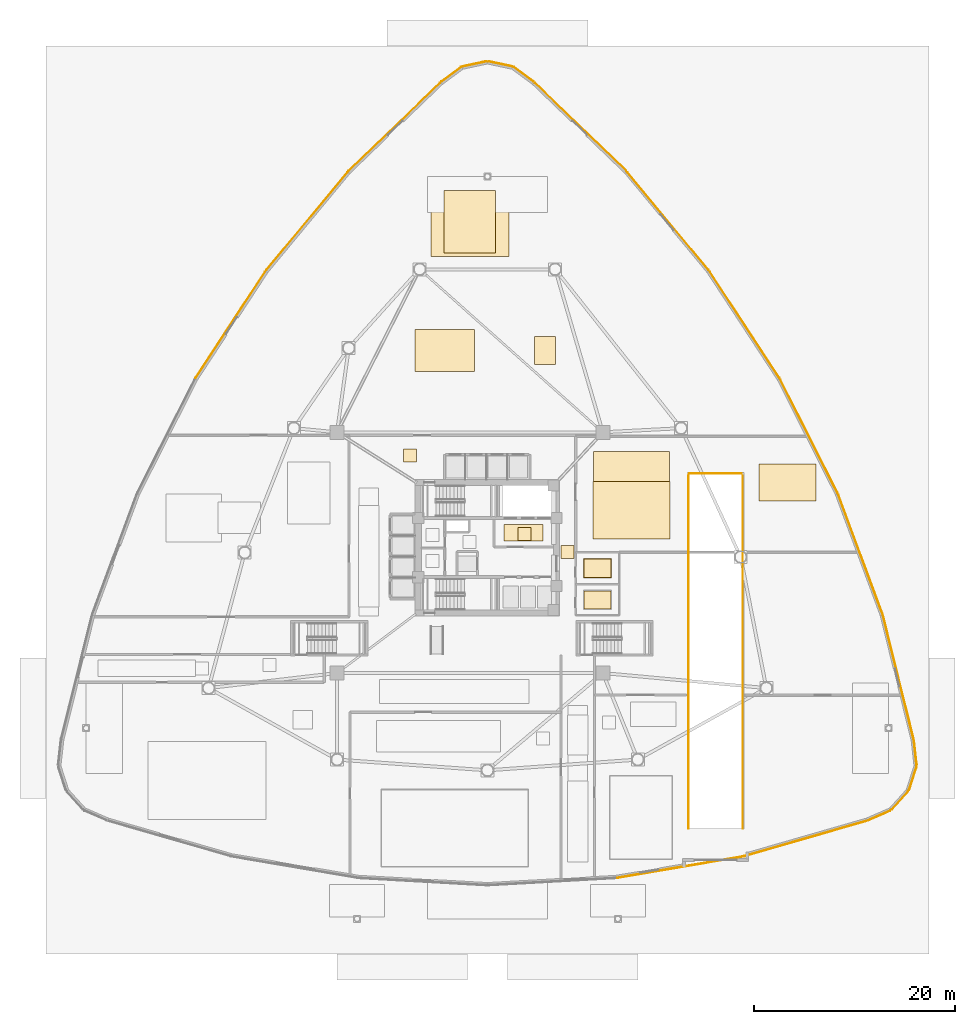
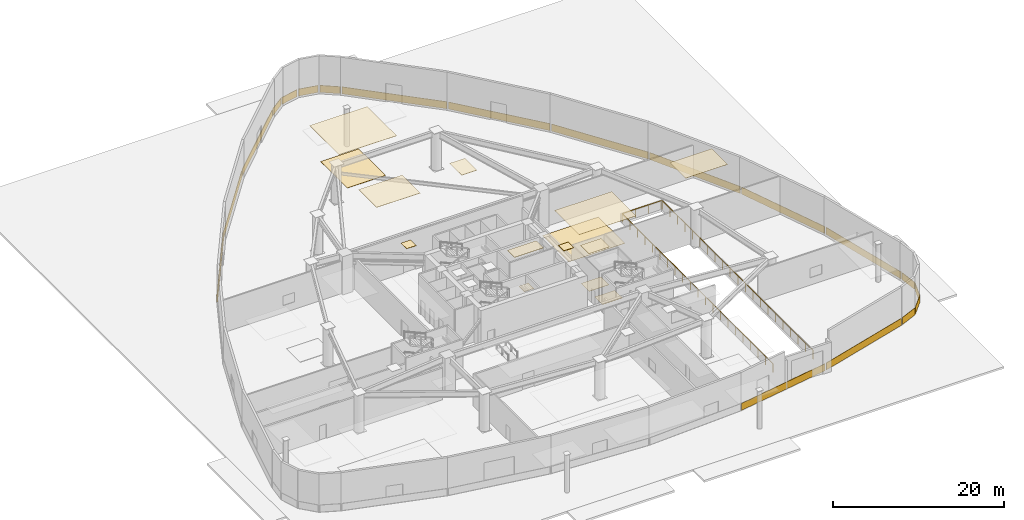
# One storey, part 12 of 13: 33 coverings, 3 railings.
"""IFC4 building model written with IfcOpenShell, lengths in metres."""

from ifc_helpers import new_model, si_unit, direction, frame, origin, origin_2d, place, context, subcontext, project, spatial, polyline, rectangle, outline, extrude, material, layer, layer_set, type_object, element, save


model = new_model("IFC4")

# Units and contexts
model_context = context("Model", 3, precision=1e-05, world=origin(), true_north=direction((0.0, 1.0)))
body_context = subcontext(model_context, "Body", "Model", "MODEL_VIEW")
ifc_project = project(units=[si_unit("LENGTHUNIT", "METRE"), si_unit("AREAUNIT", "SQUARE_METRE"), si_unit("VOLUMEUNIT", "CUBIC_METRE"), si_unit("PLANEANGLEUNIT", "RADIAN"), si_unit("MASSUNIT", "GRAM", prefix="KILO")], contexts=[model_context])

# Site, building, storey
site_placement = place(None, origin())
site = spatial("IfcSite", under=ifc_project, at=site_placement, CompositionType="ELEMENT")
building_placement = place(site_placement, origin())
building = spatial("IfcBuilding", under=site, at=building_placement, Name="Tavelor Broadcast Tower", CompositionType="ELEMENT")
storey_placement = place(building_placement, origin())
storey = spatial("IfcBuildingStorey", under=building, at=storey_placement, Name="L00", CompositionType="ELEMENT", Elevation=0.0)

# Coverings
ifc_material_1 = material(Name="Copper-Bronze Anodized Aluminium", Category="aluminium")
ifc_layer_1 = layer(ifc_material_1, 0.044921875)
ifc_layer_set_1 = layer_set([ifc_layer_1], Name="Copper-Bronze Anodized Aluminium")
covering_type_1 = type_object("IfcCoveringType", Name="Anodised Bronze Linear Slatted Concourse Ceiling 45 mm", PredefinedType="CEILING", material=ifc_layer_set_1)
covering_1_placement = place(storey_placement, frame((0.0, 0.0, 5.405029296875)))
element("IfcCovering", 1, at=covering_1_placement, inside=storey, type_object=covering_type_1, Name="L00 Suspended Acoustic Ceiling 0001", PredefinedType="CEILING", context=body_context, shape_type="SweptSolid", body=[
    extrude(outline(polyline([(51.659912109375, 45.654296875), (55.55712890625, 45.654296875), (55.55712890625, 47.331787109375), (51.659912109375, 47.331787109375), (51.659912109375, 45.654296875)])), origin(), (0.0, 0.0, 1.0), 0.044921875),
])
covering_2_placement = place(storey_placement, frame((0.0, 0.0, 5.405029296875)))
element("IfcCovering", 2, at=covering_2_placement, inside=storey, type_object=covering_type_1, Name="L00 Suspended Acoustic Ceiling 0009", PredefinedType="CEILING", context=body_context, shape_type="SweptSolid", body=[
    extrude(outline(polyline([(57.35009765625, 43.925048828125), (58.64990234375, 43.925048828125), (58.64990234375, 45.22509765625), (57.35009765625, 45.22509765625), (57.35009765625, 43.925048828125)])), origin(), (0.0, 0.0, 1.0), 0.044921875),
])
covering_3_placement = place(storey_placement, frame((0.0, 0.0, 5.405029296875)))
element("IfcCovering", 3, at=covering_3_placement, inside=storey, type_object=covering_type_1, Name="L00 Suspended Acoustic Ceiling 0011", PredefinedType="CEILING", context=body_context, shape_type="SweptSolid", body=[
    extrude(outline(polyline([(41.627197265625, 53.513671875), (42.92724609375, 53.513671875), (42.92724609375, 54.813720703125), (41.627197265625, 54.813720703125), (41.627197265625, 53.513671875)])), origin(), (0.0, 0.0, 1.0), 0.044921875),
])
covering_4_placement = place(storey_placement, frame((0.0, 0.0, 5.405029296875)))
element("IfcCovering", 4, at=covering_4_placement, inside=storey, type_object=covering_type_1, Name="L00 Suspended Acoustic Ceiling 0021", PredefinedType="CEILING", context=body_context, shape_type="SweptSolid", body=[
    extrude(outline(polyline([(44.362548828125, 74.04736328125), (52.137451171875, 74.04736328125), (52.137451171875, 80.9208984375), (44.362548828125, 80.9208984375), (44.362548828125, 74.04736328125)])), origin(), (0.0, 0.0, 1.0), 0.044921875),
])
covering_5_placement = place(storey_placement, frame((0.0, 0.0, 5.405029296875)))
element("IfcCovering", 5, at=covering_5_placement, inside=storey, type_object=covering_type_1, Name="L00 Suspended Acoustic Ceiling 0022", PredefinedType="CEILING", context=body_context, shape_type="SweptSolid", body=[
    extrude(outline(polyline([(54.691650390625, 63.265380859375), (56.762939453125, 63.265380859375), (56.762939453125, 66.070068359375), (54.691650390625, 66.070068359375), (54.691650390625, 63.265380859375)])), origin(), (0.0, 0.0, 1.0), 0.044921875),
])
covering_6_placement = place(storey_placement, frame((0.0, 0.0, 5.405029296875)))
element("IfcCovering", 6, at=covering_6_placement, inside=storey, type_object=covering_type_1, Name="L00 Suspended Acoustic Ceiling 0023", PredefinedType="CEILING", context=body_context, shape_type="SweptSolid", body=[
    extrude(outline(polyline([(42.781005859375, 62.544677734375), (48.70166015625, 62.544677734375), (48.70166015625, 66.76220703125), (42.781005859375, 66.76220703125), (42.781005859375, 62.544677734375)])), origin(), (0.0, 0.0, 1.0), 0.044921875),
])
ifc_material_2 = material(Name="Acoustic Nylon Carpet Tile")
ifc_layer_2 = layer(ifc_material_2, 0.02001953125)
ifc_layer_set_2 = layer_set([ifc_layer_2], Name="Acoustic Nylon Carpet Tile")
covering_type_2 = type_object("IfcCoveringType", Name="Heavy-Duty Acoustic Broadcast Carpet Tile 20 mm", PredefinedType="FLOORING", material=ifc_layer_set_2)
covering_7_placement = place(storey_placement, origin())
element("IfcCovering", 7, at=covering_7_placement, inside=storey, type_object=covering_type_2, Name="L00 Broadcast Floor Finish 0012", PredefinedType="FLOORING", context=body_context, shape_type="SweptSolid", body=[
    extrude(outline(polyline([(60.57568359375, 48.4033203125), (68.154296875, 48.4033203125), (68.154296875, 54.59423828125), (60.57568359375, 54.59423828125), (60.57568359375, 48.4033203125)])), origin(), (0.0, 0.0, 1.0), 0.02001953125),
])
ifc_material_3 = material(Name="Honed Natural Limestone Tile", Category="masonry")
ifc_layer_3 = layer(ifc_material_3, 0.030029296875)
ifc_layer_set_3 = layer_set([ifc_layer_3], Name="Honed Natural Limestone Tile")
covering_type_3 = type_object("IfcCoveringType", Name="Honed Jerusalem Limestone Concourse Flooring 30 mm", PredefinedType="FLOORING", material=ifc_layer_set_3)
covering_8_placement = place(storey_placement, origin())
element("IfcCovering", 8, at=covering_8_placement, inside=storey, type_object=covering_type_3, Name="L00 Broadcast Floor Finish 0001", PredefinedType="FLOORING", context=body_context, shape_type="SweptSolid", body=[
    extrude(outline(polyline([(53.030029296875, 45.728515625), (54.330078125, 45.728515625), (54.330078125, 47.028564453125), (53.030029296875, 47.028564453125), (53.030029296875, 45.728515625)])), origin(), (0.0, 0.0, 1.0), 0.030029296875),
])
covering_9_placement = place(storey_placement, origin())
element("IfcCovering", 9, at=covering_9_placement, inside=storey, type_object=covering_type_3, Name="L00 Broadcast Floor Finish 0008", PredefinedType="FLOORING", context=body_context, shape_type="SweptSolid", body=[
    extrude(outline(polyline([(45.67431640625, 74.39404296875), (50.82568359375, 74.39404296875), (50.82568359375, 80.62548828125), (45.67431640625, 80.62548828125), (45.67431640625, 74.39404296875)])), origin(), (0.0, 0.0, 1.0), 0.030029296875),
])
ifc_material_4 = material(Name="Architectural Anodized Aluminium", Category="aluminium")
ifc_layer_4 = layer(ifc_material_4, 0.030029296875)
ifc_layer_set_4 = layer_set([ifc_layer_4], Name="Architectural Anodized Aluminium")
covering_type_4 = type_object("IfcCoveringType", Name="Moisture-Resistant Washroom Ceiling 30 mm", PredefinedType="CEILING", material=ifc_layer_set_4)
covering_10_placement = place(storey_placement, frame((0.0, 0.0, 5.419921875)))
element("IfcCovering", 10, at=covering_10_placement, inside=storey, type_object=covering_type_4, Name="L00 Suspended Acoustic Ceiling 0027", PredefinedType="CEILING", context=body_context, shape_type="SweptSolid", body=[
    extrude(outline(polyline([(59.5703125, 41.957763671875), (62.389892578125, 41.957763671875), (62.389892578125, 43.942138671875), (59.5703125, 43.942138671875), (59.5703125, 41.957763671875)])), origin(), (0.0, 0.0, 1.0), 0.030029296875),
])

# Railings
ifc_material_5 = material(Name="Steel S355", Category="steel")
railing_type = type_object("IfcRailingType", Name="Open Wind Floor Perimeter Safety Guardrail 1200 mm", PredefinedType="GUARDRAIL", material=ifc_material_5)
railing_1_placement = place(storey_placement, frame((70.050048828125, 17.0, 0.0)))
element("IfcRailing", 11, at=railing_1_placement, inside=storey, type_object=railing_type, Name="L00 Vehicle Ramp Well Safety Guardrail #1", PredefinedType="GUARDRAIL", context=body_context, shape_type="SweptSolid", body=[
    extrude(rectangle(XDim=0.048095703125, YDim=0.048095703125, at=origin_2d()), frame((0.0, 0.0, 1.17578125), z_axis=(0.0, 1.0, 0.0), x_axis=(-1.0, 0.0, 0.0)), (0.0, 0.0, 1.0), 35.280029296875),
    extrude(rectangle(XDim=0.0419921875, YDim=0.0419921875, at=origin_2d()), origin(), (0.0, 0.0, 1.0), 1.15185546875),
    extrude(rectangle(XDim=0.0419921875, YDim=0.0419921875, at=origin_2d()), frame((0.0, 1.763916015625, 0.0)), (0.0, 0.0, 1.0), 1.15185546875),
    extrude(rectangle(XDim=0.0419921875, YDim=0.0419921875, at=origin_2d()), frame((0.0, 3.528076171875, 0.0)), (0.0, 0.0, 1.0), 1.15185546875),
    extrude(rectangle(XDim=0.0419921875, YDim=0.0419921875, at=origin_2d()), frame((0.0, 5.2919921875, 0.0)), (0.0, 0.0, 1.0), 1.15185546875),
    extrude(rectangle(XDim=0.0419921875, YDim=0.0419921875, at=origin_2d()), frame((0.0, 7.055908203125, 0.0)), (0.0, 0.0, 1.0), 1.15185546875),
    extrude(rectangle(XDim=0.0419921875, YDim=0.0419921875, at=origin_2d()), frame((0.0, 8.820068359375, 0.0)), (0.0, 0.0, 1.0), 1.15185546875),
    extrude(rectangle(XDim=0.0419921875, YDim=0.0419921875, at=origin_2d()), frame((0.0, 10.583984375, 0.0)), (0.0, 0.0, 1.0), 1.15185546875),
    extrude(rectangle(XDim=0.0419921875, YDim=0.0419921875, at=origin_2d()), frame((0.0, 12.347900390625, 0.0)), (0.0, 0.0, 1.0), 1.15185546875),
    extrude(rectangle(XDim=0.0419921875, YDim=0.0419921875, at=origin_2d()), frame((0.0, 14.112060546875, 0.0)), (0.0, 0.0, 1.0), 1.15185546875),
    extrude(rectangle(XDim=0.0419921875, YDim=0.0419921875, at=origin_2d()), frame((0.0, 15.8759765625, 0.0)), (0.0, 0.0, 1.0), 1.15185546875),
    extrude(rectangle(XDim=0.0419921875, YDim=0.0419921875, at=origin_2d()), frame((0.0, 17.64013671875, 0.0)), (0.0, 0.0, 1.0), 1.15185546875),
    extrude(rectangle(XDim=0.0419921875, YDim=0.0419921875, at=origin_2d()), frame((0.0, 19.404052734375, 0.0)), (0.0, 0.0, 1.0), 1.15185546875),
    extrude(rectangle(XDim=0.0419921875, YDim=0.0419921875, at=origin_2d()), frame((0.0, 21.16796875, 0.0)), (0.0, 0.0, 1.0), 1.15185546875),
    extrude(rectangle(XDim=0.0419921875, YDim=0.0419921875, at=origin_2d()), frame((0.0, 22.93212890625, 0.0)), (0.0, 0.0, 1.0), 1.15185546875),
    extrude(rectangle(XDim=0.0419921875, YDim=0.0419921875, at=origin_2d()), frame((0.0, 24.696044921875, 0.0)), (0.0, 0.0, 1.0), 1.15185546875),
    extrude(rectangle(XDim=0.0419921875, YDim=0.0419921875, at=origin_2d()), frame((0.0, 26.4599609375, 0.0)), (0.0, 0.0, 1.0), 1.15185546875),
    extrude(rectangle(XDim=0.0419921875, YDim=0.0419921875, at=origin_2d()), frame((0.0, 28.22412109375, 0.0)), (0.0, 0.0, 1.0), 1.15185546875),
    extrude(rectangle(XDim=0.0419921875, YDim=0.0419921875, at=origin_2d()), frame((0.0, 29.988037109375, 0.0)), (0.0, 0.0, 1.0), 1.15185546875),
    extrude(rectangle(XDim=0.0419921875, YDim=0.0419921875, at=origin_2d()), frame((0.0, 31.751953125, 0.0)), (0.0, 0.0, 1.0), 1.15185546875),
    extrude(rectangle(XDim=0.0419921875, YDim=0.0419921875, at=origin_2d()), frame((0.0, 33.51611328125, 0.0)), (0.0, 0.0, 1.0), 1.15185546875),
    extrude(rectangle(XDim=0.0419921875, YDim=0.0419921875, at=origin_2d()), frame((0.0, 35.280029296875, 0.0)), (0.0, 0.0, 1.0), 1.15185546875),
])
railing_2_placement = place(storey_placement, frame((75.449951171875, 52.280029296875, 0.0)))
element("IfcRailing", 12, at=railing_2_placement, inside=storey, type_object=railing_type, Name="L00 Vehicle Ramp Well Safety Guardrail #2", PredefinedType="GUARDRAIL", context=body_context, shape_type="SweptSolid", body=[
    extrude(rectangle(XDim=0.048095703125, YDim=0.048095703125, at=origin_2d()), frame((0.0, 0.0, 1.17578125), z_axis=(0.0, -1.0, 0.0), x_axis=(1.0, 0.0, 0.0)), (0.0, 0.0, 1.0), 35.280029296875),
    extrude(rectangle(XDim=0.0419921875, YDim=0.0419921875, at=origin_2d()), origin(), (0.0, 0.0, 1.0), 1.15185546875),
    extrude(rectangle(XDim=0.0419921875, YDim=0.0419921875, at=origin_2d()), frame((0.0, -1.763916015625, 0.0)), (0.0, 0.0, 1.0), 1.15185546875),
    extrude(rectangle(XDim=0.0419921875, YDim=0.0419921875, at=origin_2d()), frame((0.0, -3.528076171875, 0.0)), (0.0, 0.0, 1.0), 1.15185546875),
    extrude(rectangle(XDim=0.0419921875, YDim=0.0419921875, at=origin_2d()), frame((0.0, -5.2919921875, 0.0)), (0.0, 0.0, 1.0), 1.15185546875),
    extrude(rectangle(XDim=0.0419921875, YDim=0.0419921875, at=origin_2d()), frame((0.0, -7.055908203125, 0.0)), (0.0, 0.0, 1.0), 1.15185546875),
    extrude(rectangle(XDim=0.0419921875, YDim=0.0419921875, at=origin_2d()), frame((0.0, -8.820068359375, 0.0)), (0.0, 0.0, 1.0), 1.15185546875),
    extrude(rectangle(XDim=0.0419921875, YDim=0.0419921875, at=origin_2d()), frame((0.0, -10.583984375, 0.0)), (0.0, 0.0, 1.0), 1.15185546875),
    extrude(rectangle(XDim=0.0419921875, YDim=0.0419921875, at=origin_2d()), frame((0.0, -12.347900390625, 0.0)), (0.0, 0.0, 1.0), 1.15185546875),
    extrude(rectangle(XDim=0.0419921875, YDim=0.0419921875, at=origin_2d()), frame((0.0, -14.112060546875, 0.0)), (0.0, 0.0, 1.0), 1.15185546875),
    extrude(rectangle(XDim=0.0419921875, YDim=0.0419921875, at=origin_2d()), frame((0.0, -15.8759765625, 0.0)), (0.0, 0.0, 1.0), 1.15185546875),
    extrude(rectangle(XDim=0.0419921875, YDim=0.0419921875, at=origin_2d()), frame((0.0, -17.64013671875, 0.0)), (0.0, 0.0, 1.0), 1.15185546875),
    extrude(rectangle(XDim=0.0419921875, YDim=0.0419921875, at=origin_2d()), frame((0.0, -19.404052734375, 0.0)), (0.0, 0.0, 1.0), 1.15185546875),
    extrude(rectangle(XDim=0.0419921875, YDim=0.0419921875, at=origin_2d()), frame((0.0, -21.16796875, 0.0)), (0.0, 0.0, 1.0), 1.15185546875),
    extrude(rectangle(XDim=0.0419921875, YDim=0.0419921875, at=origin_2d()), frame((0.0, -22.93212890625, 0.0)), (0.0, 0.0, 1.0), 1.15185546875),
    extrude(rectangle(XDim=0.0419921875, YDim=0.0419921875, at=origin_2d()), frame((0.0, -24.696044921875, 0.0)), (0.0, 0.0, 1.0), 1.15185546875),
    extrude(rectangle(XDim=0.0419921875, YDim=0.0419921875, at=origin_2d()), frame((0.0, -26.4599609375, 0.0)), (0.0, 0.0, 1.0), 1.15185546875),
    extrude(rectangle(XDim=0.0419921875, YDim=0.0419921875, at=origin_2d()), frame((0.0, -28.22412109375, 0.0)), (0.0, 0.0, 1.0), 1.15185546875),
    extrude(rectangle(XDim=0.0419921875, YDim=0.0419921875, at=origin_2d()), frame((0.0, -29.988037109375, 0.0)), (0.0, 0.0, 1.0), 1.15185546875),
    extrude(rectangle(XDim=0.0419921875, YDim=0.0419921875, at=origin_2d()), frame((0.0, -31.751953125, 0.0)), (0.0, 0.0, 1.0), 1.15185546875),
    extrude(rectangle(XDim=0.0419921875, YDim=0.0419921875, at=origin_2d()), frame((0.0, -33.51611328125, 0.0)), (0.0, 0.0, 1.0), 1.15185546875),
    extrude(rectangle(XDim=0.0419921875, YDim=0.0419921875, at=origin_2d()), frame((0.0, -35.280029296875, 0.0)), (0.0, 0.0, 1.0), 1.15185546875),
])
railing_3_placement = place(storey_placement, frame((70.14990234375, 52.3798828125, 0.0)))
element("IfcRailing", 13, at=railing_3_placement, inside=storey, type_object=railing_type, Name="L00 Vehicle Ramp Well Safety Guardrail #3", PredefinedType="GUARDRAIL", context=body_context, shape_type="SweptSolid", body=[
    extrude(rectangle(XDim=0.048095703125, YDim=0.048095703125, at=origin_2d()), frame((0.0, 0.0, 1.17578125), z_axis=(1.0, 0.0, 0.0), x_axis=(0.0, 1.0, 0.0)), (0.0, 0.0, 1.0), 5.2001953125),
    extrude(rectangle(XDim=0.0419921875, YDim=0.0419921875, at=origin_2d()), origin(), (0.0, 0.0, 1.0), 1.15185546875),
    extrude(rectangle(XDim=0.0419921875, YDim=0.0419921875, at=origin_2d()), frame((1.7333984375, 0.0, 0.0)), (0.0, 0.0, 1.0), 1.15185546875),
    extrude(rectangle(XDim=0.0419921875, YDim=0.0419921875, at=origin_2d()), frame((3.466796875, 0.0, 0.0)), (0.0, 0.0, 1.0), 1.15185546875),
    extrude(rectangle(XDim=0.0419921875, YDim=0.0419921875, at=origin_2d()), frame((5.2001953125, 0.0, 0.0)), (0.0, 0.0, 1.0), 1.15185546875),
])

# Coverings
ifc_material_6 = material(Name="Kiln-Fired Glazed Terracotta", Category="masonry")
ifc_layer_5 = layer(ifc_material_6, 0.06494140625)
ifc_layer_set_5 = layer_set([ifc_layer_5], Name="Kiln-Fired Glazed Terracotta")
covering_type_5 = type_object("IfcCoveringType", Name="Ribbed Terracotta Rainscreen Spandrel Cladding 65 mm", PredefinedType="CLADDING", material=ifc_layer_set_5)
for number, where, z_axis, x_axis, name in (
    (14, (53.60107421875, 92.17529296875, 0.050048828125), (0.0, 0.0, 1.0), (-0.80437563527, 0.594121062902, 0.0), "L00 Terracotta Spandrel Rainscreen 01"),
    (15, (51.275634765625, 93.225341796875, 0.050048828125), (0.0, 0.0, 1.0), (-0.977599937765, 0.210471759821, 0.0), "L00 Terracotta Spandrel Rainscreen 02"),
    (16, (48.724365234375, 93.225341796875, 0.050048828125), (0.0, 0.0, 1.0), (-0.977599937765, -0.210471759821, 0.0), "L00 Terracotta Spandrel Rainscreen 03"),
    (17, (46.39892578125, 92.17529296875, 0.050048828125), (0.0, 0.0, 1.0), (-0.80437563527, -0.594121062902, 0.0), "L00 Terracotta Spandrel Rainscreen 04"),
):
    element("IfcCovering", number, at=place(storey_placement, frame(where, z_axis=z_axis, x_axis=x_axis)), inside=storey, type_object=covering_type_5, Name=name, PredefinedType="CLADDING", context=body_context, shape_type="SweptSolid", body=[
        extrude(rectangle(XDim=2.409912109375, YDim=0.06494140625, at=origin_2d()), origin(), (0.0, 0.0, 1.0), 1.0),
    ])
for number, where, z_axis, x_axis, name in (
    (18, (40.7197265625, 86.94189453125, 0.050048828125), (0.0, 0.0, 1.0), (-0.720309024888, -0.693653305813, 0.0), "L00 Terracotta Spandrel Rainscreen 05"),
    (19, (31.989013671875, 77.534912109375, 0.050048828125), (0.0, 0.0, 1.0), (-0.638096146601, -0.769956692089, 0.0), "L00 Terracotta Spandrel Rainscreen 06"),
):
    element("IfcCovering", number, at=place(storey_placement, frame(where, z_axis=z_axis, x_axis=x_axis)), inside=storey, type_object=covering_type_5, Name=name, PredefinedType="CLADDING", context=body_context, shape_type="SweptSolid", body=[
        extrude(rectangle(XDim=12.654296875, YDim=0.06494140625, at=origin_2d()), origin(), (0.0, 0.0, 1.0), 1.0),
    ])
covering_11_placement = place(storey_placement, frame((24.3671875, 67.208984375, 0.050048828125), z_axis=(0.0, 0.0, 1.0), x_axis=(-0.547855275974, -0.836573126862, 0.0)))
element("IfcCovering", 20, at=covering_11_placement, inside=storey, type_object=covering_type_5, Name="L00 Terracotta Spandrel Rainscreen 07", PredefinedType="CLADDING", context=body_context, shape_type="SweptSolid", body=[
    extrude(rectangle(XDim=12.654541015625, YDim=0.06494140625, at=origin_2d()), origin(), (0.0, 0.0, 1.0), 1.0),
])
covering_12_placement = place(storey_placement, frame((69.17041015625, 13.134765625, 0.050048828125), z_axis=(0.0, 0.0, 1.0), x_axis=(0.985850128464, 0.167629126969, 0.0)))
element("IfcCovering", 21, at=covering_12_placement, inside=storey, type_object=covering_type_5, Name="L00 Terracotta Spandrel Rainscreen 19", PredefinedType="CLADDING", context=body_context, shape_type="SweptSolid", body=[
    extrude(rectangle(XDim=12.654296875, YDim=0.06494140625, at=origin_2d()), origin(), (0.0, 0.0, 1.0), 1.0),
])
covering_13_placement = place(storey_placement, frame((81.6826171875, 15.9921875, 0.050048828125), z_axis=(0.0, 0.0, 1.0), x_axis=(0.960875896697, 0.276979261222, 0.0)))
element("IfcCovering", 22, at=covering_13_placement, inside=storey, type_object=covering_type_5, Name="L00 Terracotta Spandrel Rainscreen 20", PredefinedType="CLADDING", context=body_context, shape_type="SweptSolid", body=[
    extrude(rectangle(XDim=12.654541015625, YDim=0.06494140625, at=origin_2d()), origin(), (0.0, 0.0, 1.0), 1.0),
])
for number, where, z_axis, x_axis, name in (
    (23, (89.0546875, 18.293701171875, 0.050048828125), (0.0, 0.0, 1.0), (0.916711751032, 0.399549202878, 0.0), "L00 Terracotta Spandrel Rainscreen 21"),
    (24, (91.12646484375, 19.78271484375, 0.050048828125), (0.0, 0.0, 1.0), (0.671073859667, 0.741390500932, 0.0), "L00 Terracotta Spandrel Rainscreen 22"),
    (25, (92.402099609375, 21.9921875, 0.050048828125), (0.0, 0.0, 1.0), (0.306526078098, 0.951862260753, 0.0), "L00 Terracotta Spandrel Rainscreen 23"),
    (26, (92.655517578125, 24.531005859375, 0.050048828125), (0.0, 0.0, 1.0), (-0.112336115762, 0.99367026578, 0.0), "L00 Terracotta Spandrel Rainscreen 24"),
):
    element("IfcCovering", number, at=place(storey_placement, frame(where, z_axis=z_axis, x_axis=x_axis)), inside=storey, type_object=covering_type_5, Name=name, PredefinedType="CLADDING", context=body_context, shape_type="SweptSolid", body=[
        extrude(rectangle(XDim=2.409912109375, YDim=0.06494140625, at=origin_2d()), origin(), (0.0, 0.0, 1.0), 1.0),
    ])
for number, where, z_axis, x_axis, name in (
    (27, (90.962890625, 32.06591796875, 0.050048828125), (0.0, 0.0, 1.0), (-0.240566871809, 0.970632567035, 0.0), "L00 Terracotta Spandrel Rainscreen 25"),
    (28, (87.181396484375, 44.33056640625, 0.050048828125), (0.0, 0.0, 1.0), (-0.347753981862, 0.937585819058, 0.0), "L00 Terracotta Spandrel Rainscreen 26"),
):
    element("IfcCovering", number, at=place(storey_placement, frame(where, z_axis=z_axis, x_axis=x_axis)), inside=storey, type_object=covering_type_5, Name=name, PredefinedType="CLADDING", context=body_context, shape_type="SweptSolid", body=[
        extrude(rectangle(XDim=12.654541015625, YDim=0.06494140625, at=origin_2d()), origin(), (0.0, 0.0, 1.0), 1.0),
    ])
covering_14_placement = place(storey_placement, frame((82.0498046875, 56.093994140625, 0.050048828125), z_axis=(0.0, 0.0, 1.0), x_axis=(-0.450565941999, 0.892743150022, 0.0)))
element("IfcCovering", 29, at=covering_14_placement, inside=storey, type_object=covering_type_5, Name="L00 Terracotta Spandrel Rainscreen 27", PredefinedType="CLADDING", context=body_context, shape_type="SweptSolid", body=[
    extrude(rectangle(XDim=12.654296875, YDim=0.06494140625, at=origin_2d()), origin(), (0.0, 0.0, 1.0), 1.0),
])
covering_15_placement = place(storey_placement, frame((75.6328125, 67.208984375, 0.050048828125), z_axis=(0.0, 0.0, 1.0), x_axis=(-0.547855275974, 0.836573126862, 0.0)))
element("IfcCovering", 30, at=covering_15_placement, inside=storey, type_object=covering_type_5, Name="L00 Terracotta Spandrel Rainscreen 28", PredefinedType="CLADDING", context=body_context, shape_type="SweptSolid", body=[
    extrude(rectangle(XDim=12.654541015625, YDim=0.06494140625, at=origin_2d()), origin(), (0.0, 0.0, 1.0), 1.0),
])
for number, where, z_axis, x_axis, name in (
    (31, (68.010986328125, 77.534912109375, 0.050048828125), (0.0, 0.0, 1.0), (-0.638096146601, 0.769956692089, 0.0), "L00 Terracotta Spandrel Rainscreen 29"),
    (32, (59.2802734375, 86.94189453125, 0.050048828125), (0.0, 0.0, 1.0), (-0.720309024888, 0.693653305813, 0.0), "L00 Terracotta Spandrel Rainscreen 30"),
):
    element("IfcCovering", number, at=place(storey_placement, frame(where, z_axis=z_axis, x_axis=x_axis)), inside=storey, type_object=covering_type_5, Name=name, PredefinedType="CLADDING", context=body_context, shape_type="SweptSolid", body=[
        extrude(rectangle(XDim=12.654296875, YDim=0.06494140625, at=origin_2d()), origin(), (0.0, 0.0, 1.0), 1.0),
    ])
ifc_material_7 = material(Name="Slip-Resistant Porcelain Tile")
ifc_layer_6 = layer(ifc_material_7, 0.02490234375)
ifc_layer_set_6 = layer_set([ifc_layer_6], Name="Slip-Resistant Porcelain Tile")
covering_type_6 = type_object("IfcCoveringType", Name="Slip-Resistant Porcelain Wet-Area Floor Tile 25 mm", PredefinedType="FLOORING", material=ifc_layer_set_6)
covering_16_placement = place(storey_placement, origin())
element("IfcCovering", 33, at=covering_16_placement, inside=storey, type_object=covering_type_6, Name="L00 Broadcast Floor Finish 0010", PredefinedType="FLOORING", context=body_context, shape_type="SweptSolid", body=[
    extrude(outline(polyline([(59.627685546875, 38.9013671875), (62.332275390625, 38.9013671875), (62.332275390625, 40.698486328125), (59.627685546875, 40.698486328125), (59.627685546875, 38.9013671875)])), origin(), (0.0, 0.0, 1.0), 0.02490234375),
])
covering_17_placement = place(storey_placement, origin())
element("IfcCovering", 34, at=covering_17_placement, inside=storey, type_object=covering_type_6, Name="L00 Broadcast Floor Finish 0011", PredefinedType="FLOORING", context=body_context, shape_type="SweptSolid", body=[
    extrude(outline(polyline([(59.627685546875, 42.015380859375), (62.332275390625, 42.015380859375), (62.332275390625, 43.884521484375), (59.627685546875, 43.884521484375), (59.627685546875, 42.015380859375)])), origin(), (0.0, 0.0, 1.0), 0.02490234375),
])
ifc_material_8 = material(Name="Acoustic Mineral Fibre Tile")
ifc_layer_7 = layer(ifc_material_8, 0.0400390625)
ifc_layer_set_7 = layer_set([ifc_layer_7], Name="Acoustic Mineral Fibre Tile")
covering_type_7 = type_object("IfcCoveringType", Name="Suspended Acoustic Mineral-Fibre Office Ceiling 40 mm", PredefinedType="CEILING", material=ifc_layer_set_7)
covering_18_placement = place(storey_placement, frame((0.0, 0.0, 5.409912109375)))
element("IfcCovering", 35, at=covering_18_placement, inside=storey, type_object=covering_type_7, Name="L00 Suspended Acoustic Ceiling 0028", PredefinedType="CEILING", context=body_context, shape_type="SweptSolid", body=[
    extrude(outline(polyline([(60.51806640625, 45.87646484375), (68.2119140625, 45.87646484375), (68.2119140625, 51.607666015625), (60.51806640625, 51.607666015625), (60.51806640625, 45.87646484375)])), origin(), (0.0, 0.0, 1.0), 0.0400390625),
])
covering_19_placement = place(storey_placement, frame((0.0, 0.0, 5.409912109375)))
element("IfcCovering", 36, at=covering_19_placement, inside=storey, type_object=covering_type_7, Name="L00 Suspended Acoustic Ceiling 0029", PredefinedType="CEILING", context=body_context, shape_type="SweptSolid", body=[
    extrude(outline(polyline([(77.0625, 49.62548828125), (82.75048828125, 49.62548828125), (82.75048828125, 53.32421875), (77.0625, 53.32421875), (77.0625, 49.62548828125)])), origin(), (0.0, 0.0, 1.0), 0.0400390625),
])

save(model, "model.ifc")
